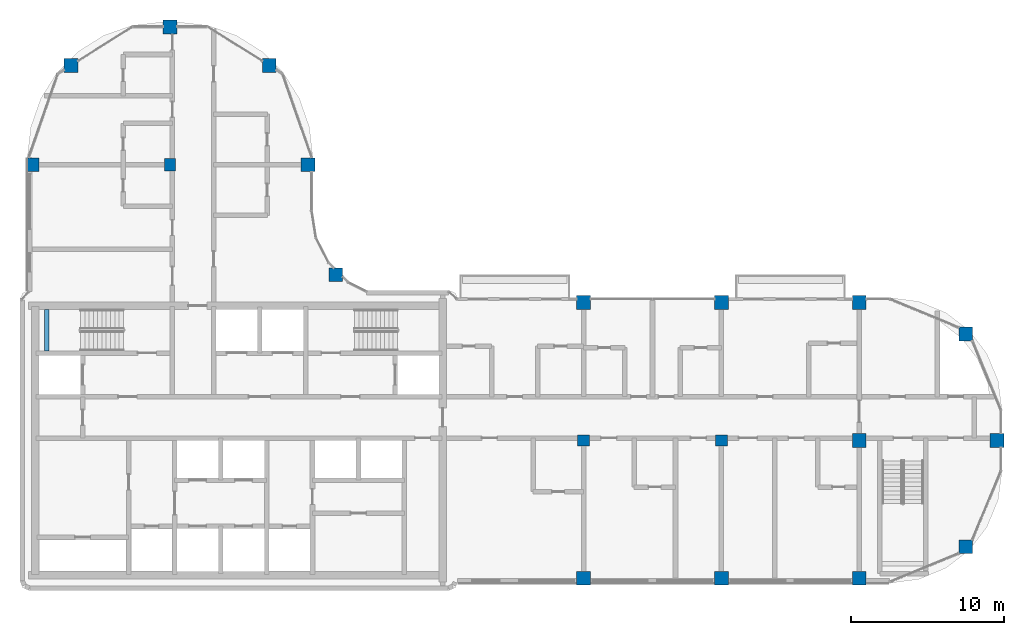
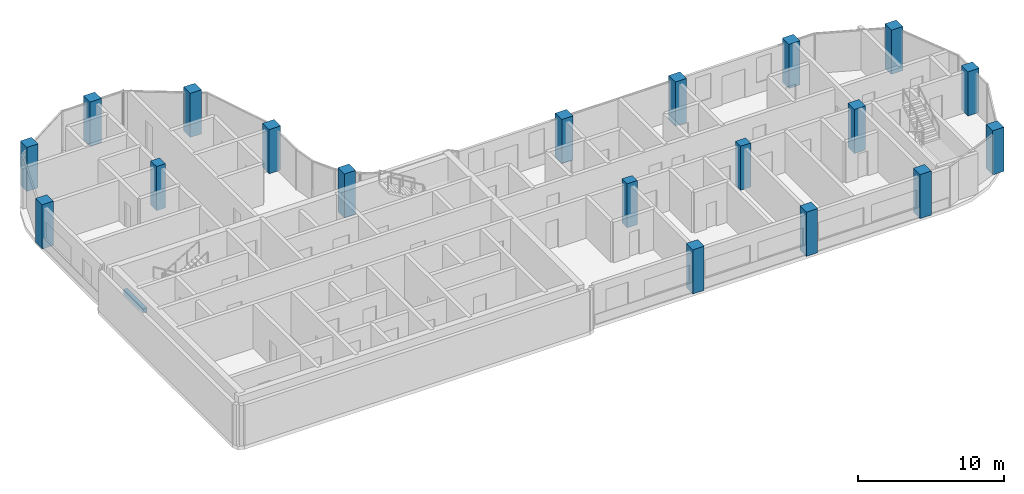
# One storey, part 1 of 19: 19 columns, 1 beam.
"""IFC4 building model written with IfcOpenShell, lengths in metres."""

from ifc_helpers import new_model, si_unit, direction, frame, origin, origin_2d, place, context, subcontext, project, spatial, rectangle, extrude, material, material_profile, profile_set, type_object, element, save


model = new_model("IFC4")

# Units and contexts
model_context = context("Model", 3, precision=1e-05, world=origin(), true_north=direction((0.0, 1.0)))
body_context = subcontext(model_context, "Body", "Model", "MODEL_VIEW")
ifc_project = project(units=[si_unit("LENGTHUNIT", "METRE"), si_unit("AREAUNIT", "SQUARE_METRE"), si_unit("VOLUMEUNIT", "CUBIC_METRE"), si_unit("PLANEANGLEUNIT", "RADIAN"), si_unit("MASSUNIT", "GRAM", prefix="KILO")], contexts=[model_context])

# Site, building, storey
site_placement = place(None, origin())
site = spatial("IfcSite", under=ifc_project, at=site_placement, CompositionType="ELEMENT")
building_placement = place(site_placement, origin())
building = spatial("IfcBuilding", under=site, at=building_placement, Name="Ogive Portal Towers", CompositionType="ELEMENT")
storey_placement = place(building_placement, frame((0.0, 0.0, 218.0)))
storey = spatial("IfcBuildingStorey", under=building, at=storey_placement, Name="L54", CompositionType="ELEMENT", Elevation=218.0)

# Columns
ifc_material_1 = material(Name="Concrete C60/75", Category="concrete")
ifc_material_profile_1 = material_profile(ifc_material_1, rectangle(XDim=0.800048828125, YDim=0.699951171875, at=origin_2d()), Name="RC 800x700")
ifc_profile_set_1 = profile_set([ifc_material_profile_1], Name="Concrete C60/75")
column_type_1 = type_object("IfcColumnType", Name="COLUMN RC 800x700", PredefinedType="COLUMN", material=ifc_profile_set_1)
for number, where, z_axis, x_axis, name in (
    (1, (67.5, 30.5, 0.0), (0.0, 0.0, 1.0), (1.0, 0.0, 0.0), "Column 5/B L54"),
    (2, (76.5, 30.5, 0.0), (0.0, 0.0, 1.0), (1.0, 0.0, 0.0), "Column 6/B L54"),
    (3, (40.5, 48.5, 0.0), (0.0, 0.0, 1.0), (0.0, 1.0, 0.0), "Column 2/D L54"),
):
    element("IfcColumn", number, at=place(storey_placement, frame(where, z_axis=z_axis, x_axis=x_axis)), inside=storey, type_object=column_type_1, Name=name, PredefinedType="COLUMN", context=body_context, shape_type="SweptSolid", body=[
        extrude(rectangle(XDim=0.800048828125, YDim=0.699951171875, at=origin_2d()), origin(), (0.0, 0.0, 1.0), 3.699951171875),
    ])
ifc_material_profile_2 = material_profile(ifc_material_1, rectangle(XDim=0.89990234375, YDim=0.89990234375, at=origin_2d()), Name="RC 900x900")
ifc_profile_set_2 = profile_set([ifc_material_profile_2], Name="Concrete C60/75")
column_type_2 = type_object("IfcColumnType", Name="COLUMN RC 900x900", PredefinedType="COLUMN", material=ifc_profile_set_2)
for number, where, z_axis, x_axis, name in (
    (4, (67.5, 21.5, 0.0), (0.0, 0.0, 1.0), (1.0, 0.0, 0.0), "Column 5/A L54"),
    (5, (76.5, 21.5, 0.0), (0.0, 0.0, 1.0), (1.0, 0.0, 0.0), "Column 6/A L54"),
    (6, (85.5, 21.5, 0.0), (0.0, 0.0, 1.0), (1.0, 0.0, 0.0), "Column 7/A L54"),
    (7, (92.449951171875, 23.550048828125, 0.0), (0.0, 0.0, 1.0), (1.0, 0.0, 0.0), "Column L54"),
    (8, (85.5, 30.5, 0.0), (0.0, 0.0, 1.0), (1.0, 0.0, 0.0), "Column 7/B L54"),
    (9, (94.5, 30.5, 0.0), (0.0, 0.0, 1.0), (1.0, 0.0, 0.0), "Column 8/B L54"),
    (10, (92.449951171875, 37.449951171875, 0.0), (0.0, 0.0, 1.0), (1.0, 0.0, 0.0), "Column L54"),
    (11, (67.5, 39.5, 0.0), (0.0, 0.0, 1.0), (1.0, 0.0, 0.0), "Column 5/C L54"),
    (12, (76.5, 39.5, 0.0), (0.0, 0.0, 1.0), (1.0, 0.0, 0.0), "Column 6/C L54"),
    (13, (85.5, 39.5, 0.0), (0.0, 0.0, 1.0), (1.0, 0.0, 0.0), "Column 7/C L54"),
    (14, (51.31005859375, 41.31005859375, 0.0), (0.0, 0.0, 1.0), (1.0, 0.0, 0.0), "Column L54"),
    (15, (31.5, 48.5, 0.0), (0.0, 0.0, 1.0), (1.0, 0.0, 0.0), "Column 1/D L54"),
    (16, (49.5, 48.5, 0.0), (0.0, 0.0, 1.0), (1.0, 0.0, 0.0), "Column 3/D L54"),
    (17, (34.027099609375, 54.972900390625, 0.0), (0.0, 0.0, 1.0), (1.0, 0.0, 0.0), "Column L54"),
    (18, (46.972900390625, 54.972900390625, 0.0), (0.0, 0.0, 1.0), (1.0, 0.0, 0.0), "Column L54"),
    (19, (40.5, 57.5, 0.0), (0.0, 0.0, 1.0), (1.0, 0.0, 0.0), "Column 2/E L54"),
):
    element("IfcColumn", number, at=place(storey_placement, frame(where, z_axis=z_axis, x_axis=x_axis)), inside=storey, type_object=column_type_2, Name=name, PredefinedType="COLUMN", context=body_context, shape_type="SweptSolid", body=[
        extrude(rectangle(XDim=0.89990234375, YDim=0.89990234375, at=origin_2d()), origin(), (0.0, 0.0, 1.0), 3.699951171875),
    ])

# Beam
ifc_material_2 = material(Name="Concrete C40/50", Category="concrete")
ifc_material_profile_3 = material_profile(ifc_material_2, rectangle(XDim=0.300048828125, YDim=0.39990234375, at=origin_2d()), Name="RC 300x400")
ifc_profile_set_3 = profile_set([ifc_material_profile_3], Name="Concrete C40/50")
beam_type = type_object("IfcBeamType", Name="BEAM RC 300x400", PredefinedType="BEAM", material=ifc_profile_set_3)
beam_placement = place(storey_placement, frame((32.449951171875, 36.35009765625, 1.449951171875), z_axis=(0.0, 1.0, 0.0), x_axis=(-1.0, 0.0, 0.0)))
element("IfcBeam", 20, at=beam_placement, inside=storey, type_object=beam_type, Name="Landing beam L54", PredefinedType="BEAM", context=body_context, shape_type="SweptSolid", body=[
    extrude(rectangle(XDim=0.300048828125, YDim=0.39990234375, at=origin_2d()), origin(), (0.0, 0.0, 1.0), 2.699951171875),
])

save(model, "model.ifc")
